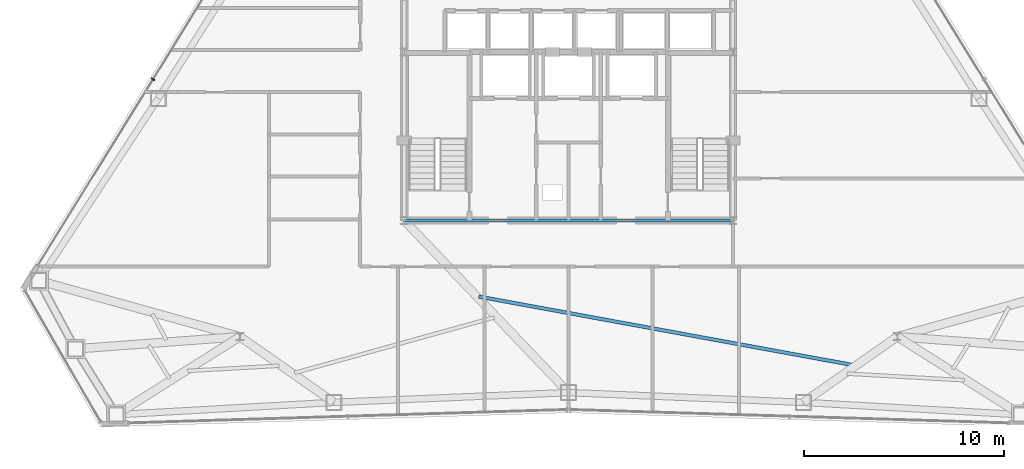
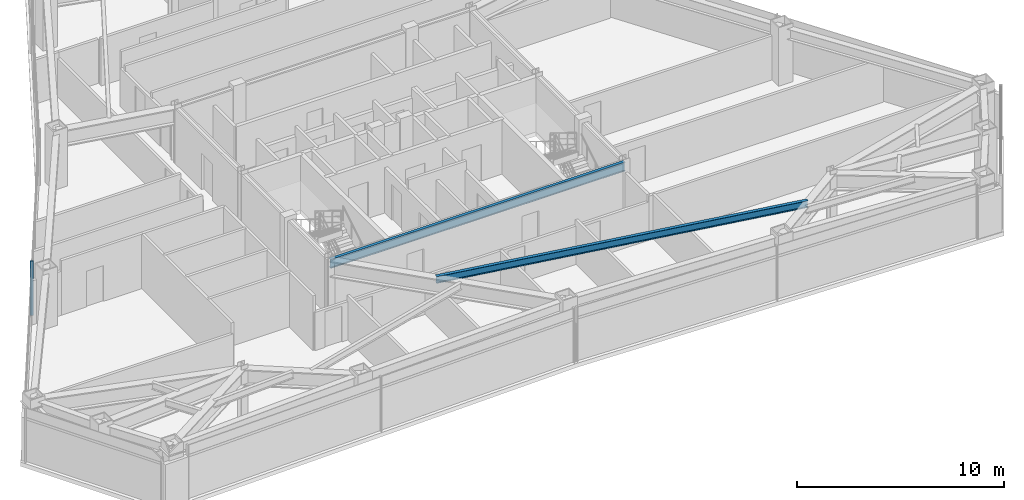
# One storey, part 4 of 13: 2 beams, 1 member, 1 element without a shape of its own.
"""IFC4 building model written with IfcOpenShell, lengths in metres."""

from ifc_helpers import new_model, si_unit, direction, frame, origin, origin_2d, place, context, subcontext, project, spatial, rectangle, i_section, extrude, source, transform, mapped, material, layer, layer_set, material_profile, profile_set, type_object, type_shapes, element, aggregate, save


model = new_model("IFC4")

# Units and contexts
model_context = context("Model", 3, precision=1e-05, world=origin(), true_north=direction((0.0, 1.0)))
body_context = subcontext(model_context, "Body", "Model", "MODEL_VIEW")
ifc_project = project(units=[si_unit("LENGTHUNIT", "METRE"), si_unit("AREAUNIT", "SQUARE_METRE"), si_unit("VOLUMEUNIT", "CUBIC_METRE"), si_unit("PLANEANGLEUNIT", "RADIAN"), si_unit("MASSUNIT", "GRAM", prefix="KILO")], contexts=[model_context])

# Site, building, storey
site_placement = place(None, origin())
site = spatial("IfcSite", under=ifc_project, at=site_placement, CompositionType="ELEMENT")
building_placement = place(site_placement, origin())
building = spatial("IfcBuilding", under=site, at=building_placement, Name="Varakhsha Concourse Tower", CompositionType="ELEMENT")
storey_placement = place(building_placement, frame((0.0, 0.0, 165.449951171875)))
storey = spatial("IfcBuildingStorey", under=building, at=storey_placement, Name="L47", CompositionType="ELEMENT", Elevation=165.449951171875)

# Beams
ifc_material_1 = material(Name="Structural Steel ASTM A992 Grade 50", Category="steel")
ifc_material_profile_1 = material_profile(ifc_material_1, i_section(OverallWidth=0.177978515625, OverallDepth=0.406982421875, WebThickness=0.008056640625, FlangeThickness=0.012939453125, at=origin_2d()), Name="W16X40")
ifc_profile_set_1 = profile_set([ifc_material_profile_1], Name="Structural Steel ASTM A992 Grade 50")
beam_type_1 = type_object("IfcBeamType", Name="BM-JST-W16X40", PredefinedType="JOIST", material=ifc_profile_set_1)
beam_1_placement = place(storey_placement, frame((35.51611328125, 12.6015625, 3.006591796875), z_axis=(0.983674054662, -0.179959312579, 0.0), x_axis=(0.179959312579, 0.983674054662, 0.0)))
element("IfcBeam", 1, at=beam_1_placement, inside=storey, type_object=beam_type_1, Name="BM-TJST-L47-11", PredefinedType="JOIST", context=body_context, shape_type="SweptSolid", body=[
    extrude(i_section(OverallWidth=0.177978515625, OverallDepth=0.406982421875, WebThickness=0.008056640625, FlangeThickness=0.012939453125, at=origin_2d()), origin(), (0.0, 0.0, 1.0), 19.024169921875),
])
ifc_material_profile_2 = material_profile(ifc_material_1, i_section(OverallWidth=0.1669921875, OverallDepth=0.534912109375, WebThickness=0.010009765625, FlangeThickness=0.01708984375, at=origin_2d()), Name="W21X57")
ifc_profile_set_2 = profile_set([ifc_material_profile_2], Name="Structural Steel ASTM A992 Grade 50")
beam_type_2 = type_object("IfcBeamType", Name="BM-RAD-W21X57", PredefinedType="BEAM", material=ifc_profile_set_2)
beam_2_placement = place(storey_placement, frame((31.800048828125, 16.39990234375, 2.942626953125), z_axis=(1.0, 0.0, 0.0), x_axis=(0.0, 1.0, 0.0)))
element("IfcBeam", 2, at=beam_2_placement, inside=storey, type_object=beam_type_2, Name="BM-TCORE-L47-CS", PredefinedType="BEAM", context=body_context, shape_type="SweptSolid", body=[
    extrude(i_section(OverallWidth=0.1669921875, OverallDepth=0.534912109375, WebThickness=0.010009765625, FlangeThickness=0.01708984375, at=origin_2d()), origin(), (0.0, 0.0, 1.0), 16.39990234375),
])

# Curtain wall, member
ifc_material_2 = material(Name="Anodised Bronze Architectural Aluminium AA 6063-T6", Category="aluminium")
ifc_layer = layer(ifc_material_2, 0.2099609375, Name="CW-SYS-04")
ifc_layer_set = layer_set([ifc_layer], Name="Anodised Bronze Architectural Aluminium AA 6063-T6")
curtain_wall_type = type_object("IfcCurtainWallType", Name="CW-SYS-04", PredefinedType="NOTDEFINED", material=ifc_layer_set)
curtain_wall_placement = place(storey_placement, origin())
curtain_wall = element("IfcCurtainWall", 3, at=curtain_wall_placement, inside=storey, type_object=curtain_wall_type, Name="L47 Crystal Curtain Wall F3", PredefinedType="NOTDEFINED")
ifc_material_profile_3 = material_profile(ifc_material_2, rectangle(XDim=0.06494140625, YDim=0.179931640625, at=origin_2d()), Name="CWM-180X65")
ifc_profile_set_3 = profile_set([ifc_material_profile_3], Name="Anodised Bronze Architectural Aluminium AA 6063-T6")
member_type = type_object("IfcMemberType", Name="CWM-180X65", PredefinedType="MULLION", material=ifc_profile_set_3)
shared_shape = source(origin(), body_context, "Body", "SweptSolid", [
    extrude(rectangle(XDim=0.06494140625, YDim=0.179931640625, at=origin_2d()), origin(), (0.0, 0.0, 1.0), 3.2099609375),
])
type_shapes(member_type, [shared_shape])
member_placement = place(storey_placement, frame((19.267578125, 23.44287109375, 0.0), z_axis=(0.0, 0.0, 1.0), x_axis=(0.526199082126, 0.850361409032, 0.0)))
member = element("IfcMember", 4, at=member_placement, type_object=member_type, Name="CW-L47-F3 Mullion 01", PredefinedType="MULLION", context=body_context, shape_type="MappedRepresentation", body=[
    mapped(shared_shape, transform((0.0, 0.0, 0.0), scale=1.0)),
])
aggregate(curtain_wall, [member])

save(model, "model.ifc")
